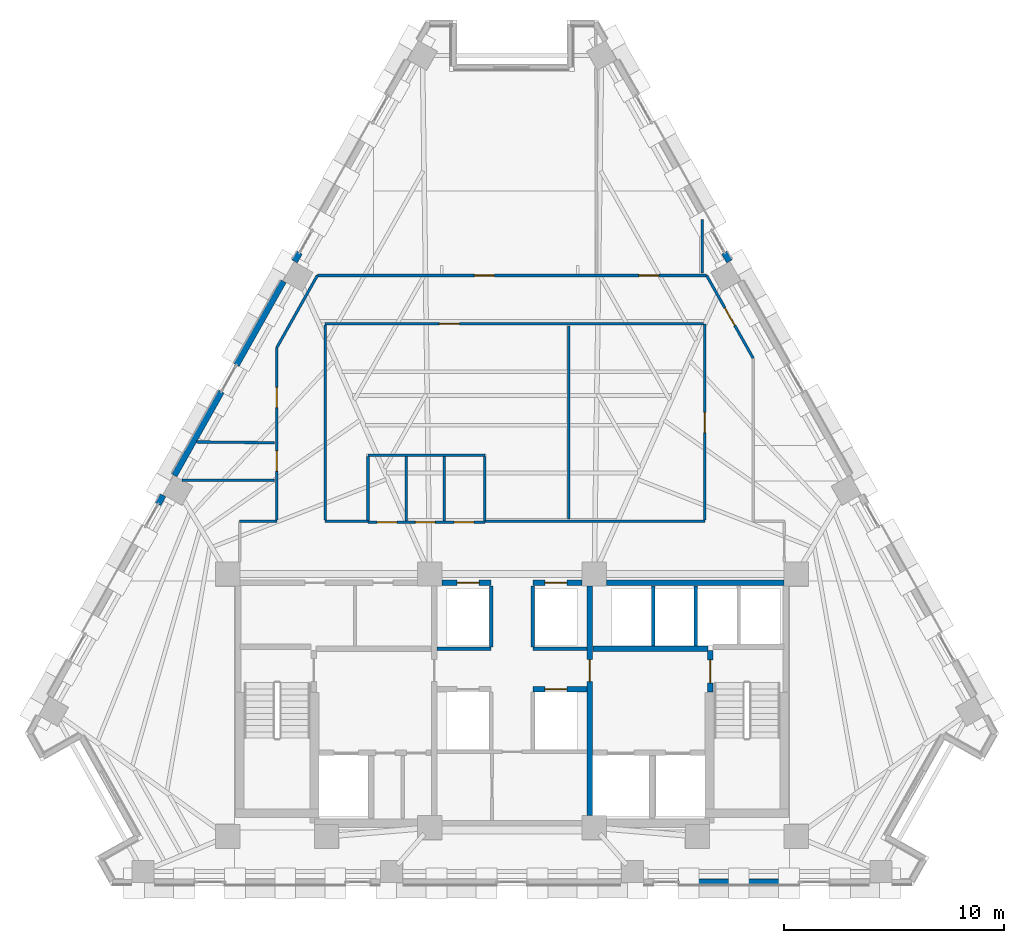
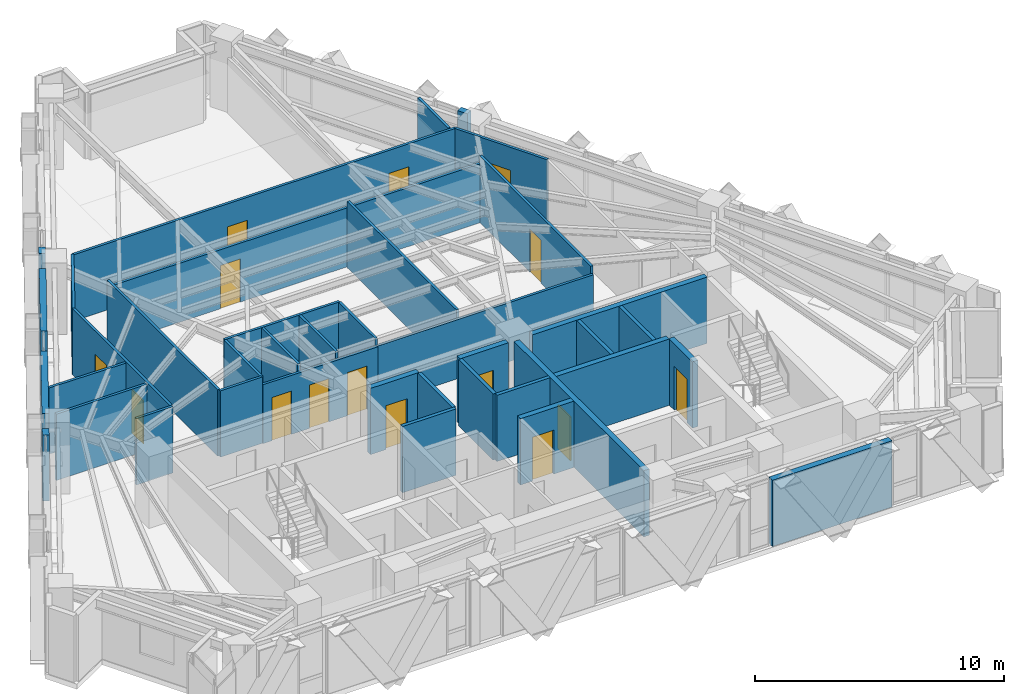
# One storey, part 8 of 13: 39 walls, 15 doors, 15 openings.
"""IFC4 building model written with IfcOpenShell, lengths in metres."""

from ifc_helpers import new_model, si_unit, direction, frame, frame_2d, origin, place, context, subcontext, project, spatial, rectangle, extrude, material, layer, layer_set, type_object, element, fill, save


model = new_model("IFC4")

# Units and contexts
model_context = context("Model", 3, precision=1e-05, world=origin(), true_north=direction((0.0, 1.0)))
body_context = subcontext(model_context, "Body", "Model", "MODEL_VIEW")
ifc_project = project(units=[si_unit("LENGTHUNIT", "METRE"), si_unit("AREAUNIT", "SQUARE_METRE"), si_unit("VOLUMEUNIT", "CUBIC_METRE"), si_unit("PLANEANGLEUNIT", "RADIAN"), si_unit("MASSUNIT", "GRAM", prefix="KILO")], contexts=[model_context])

# Site, building, storey
site_placement = place(None, origin())
site = spatial("IfcSite", under=ifc_project, at=site_placement, CompositionType="ELEMENT")
building_placement = place(site_placement, origin())
building = spatial("IfcBuilding", under=site, at=building_placement, Name="Quenlor Broadcast Tower", CompositionType="ELEMENT")
storey_placement = place(building_placement, frame((0.0, 0.0, 161.5)))
storey = spatial("IfcBuildingStorey", under=building, at=storey_placement, Name="L44", CompositionType="ELEMENT", Elevation=161.5)

# Wall, opening, door
ifc_material_1 = material(Name="Concrete C40/50", Category="concrete")
ifc_layer_1 = layer(ifc_material_1, 0.25)
ifc_layer_set_1 = layer_set([ifc_layer_1], Name="Fire Rated Concrete C40/50 Core Wall 250")
wall_type_1 = type_object("IfcWallType", Name="Fire Rated Concrete C40/50 Core Wall 250", PredefinedType="PARTITIONING", material=ifc_layer_set_1)
wall_1_placement = place(storey_placement, frame((9.0400390625, -10.179931640625, 0.0), z_axis=(0.0, 0.0, 1.0), x_axis=(0.0, 1.0, 0.0)))
wall_1 = element("IfcWall", 1, at=wall_1_placement, inside=storey, type_object=wall_type_1, Name="L44 Interior Wall CW-ST2-DR", PredefinedType="PARTITIONING", context=body_context, shape_type="SweptSolid", body=[
    extrude(rectangle(XDim=1.89990234375, YDim=0.25, at=frame_2d((0.949951171875, 0.0))), origin(), (0.0, 0.0, 1.0), 3.25),
])
opening_1_placement = place(wall_1_placement, frame((0.419921875, 0.0, 0.0)))
opening_1 = element("IfcOpeningElement", 2, at=opening_1_placement, cuts=wall_1, Name="Opening FD-1", PredefinedType="OPENING", context=body_context, shape_type="SweptSolid", body=[
    extrude(rectangle(XDim=1.050048828125, YDim=2.14990234375, at=frame_2d((0.52490234375, 1.074951171875))), frame((0.0, 0.135009765625, 0.0), z_axis=(0.0, -1.0, 0.0), x_axis=(1.0, 0.0, 0.0)), (0.0, 0.0, 1.0), 0.27001953125),
])
ifc_material_2 = material(Name="Fire Rated Steel Door Leaf", Category="steel")
door_type_1 = type_object("IfcDoorType", Name="Fire Isolated Stair Door 1050x2150", OperationType="NOTDEFINED", PredefinedType="DOOR", material=ifc_material_2)
door_1_placement = place(opening_1_placement, origin())
door_1 = element("IfcDoor", 3, at=door_1_placement, inside=storey, type_object=door_type_1, Name="L44 Door DR-ST2", OperationType="SINGLE_SWING_RIGHT", OverallHeight=2.14990234375, OverallWidth=1.050048828125, PredefinedType="DOOR", context=body_context, shape_type="SweptSolid", body=[
    extrude(rectangle(XDim=1.050048828125, YDim=2.14990234375, at=frame_2d((0.52490234375, 1.074951171875))), frame((0.0, 0.02490234375, 0.0), z_axis=(0.0, -1.0, 0.0), x_axis=(1.0, 0.0, 0.0)), (0.0, 0.0, 1.0), 0.050048828125),
])
fill(opening_1, door_1)

# Wall
wall_2_placement = place(storey_placement, frame((3.679931640625, -8.199951171875, 0.0), z_axis=(0.0, 0.0, 1.0), x_axis=(1.0, 0.0, 0.0)))
element("IfcWall", 4, at=wall_2_placement, inside=storey, type_object=wall_type_1, Name="L44 Interior Wall CW-FFE-N", PredefinedType="PARTITIONING", context=body_context, shape_type="SweptSolid", body=[
    extrude(rectangle(XDim=5.239990234375, YDim=0.25, at=frame_2d((2.6201171875, 0.0))), origin(), (0.0, 0.0, 1.0), 3.25),
])

# Wall, opening, door
wall_3_placement = place(storey_placement, frame((3.550048828125, -15.798095703125, 0.0), z_axis=(0.0, 0.0, 1.0), x_axis=(0.0, 1.0, 0.0)))
wall_3 = element("IfcWall", 5, at=wall_3_placement, inside=storey, type_object=wall_type_1, Name="L44 Interior Wall CW-FFE-W", PredefinedType="PARTITIONING", context=body_context, shape_type="SweptSolid", body=[
    extrude(rectangle(XDim=10.446044921875, YDim=0.25, at=frame_2d((5.22314453125, 0.0))), origin(), (0.0, 0.0, 1.0), 3.25),
])
opening_2_placement = place(wall_3_placement, frame((6.097900390625, 0.0, 0.0)))
opening_2 = element("IfcOpeningElement", 6, at=opening_2_placement, cuts=wall_3, Name="Opening FD-2", PredefinedType="OPENING", context=body_context, shape_type="SweptSolid", body=[
    extrude(rectangle(XDim=1.0, YDim=2.14990234375, at=frame_2d((0.5, 1.074951171875))), frame((0.0, 0.135009765625, 0.0), z_axis=(0.0, -1.0, 0.0), x_axis=(1.0, 0.0, 0.0)), (0.0, 0.0, 1.0), 0.27001953125),
])
ifc_material_3 = material(Name="Fire Rated Glazed Steel Door", Category="steel")
door_type_2 = type_object("IfcDoorType", Name="Firefighting Lobby Smoke Door 1000x2150", OperationType="NOTDEFINED", PredefinedType="DOOR", material=ifc_material_3)
door_2_placement = place(opening_2_placement, origin())
door_2 = element("IfcDoor", 7, at=door_2_placement, inside=storey, type_object=door_type_2, Name="L44 Door DR-FFLE", OperationType="SINGLE_SWING_LEFT", OverallHeight=2.14990234375, OverallWidth=1.0, PredefinedType="DOOR", context=body_context, shape_type="SweptSolid", body=[
    extrude(rectangle(XDim=1.0, YDim=2.14990234375, at=frame_2d((0.5, 1.074951171875))), frame((0.0, 0.02490234375, 0.0), z_axis=(0.0, -1.0, 0.0), x_axis=(1.0, 0.0, 0.0)), (0.0, 0.0, 1.0), 0.050048828125),
])
fill(opening_2, door_2)

# Wall
wall_4_placement = place(storey_placement, frame((4.302001953125, -5.199951171875, 0.0), z_axis=(0.0, 0.0, 1.0), x_axis=(1.0, 0.0, 0.0)))
element("IfcWall", 8, at=wall_4_placement, inside=storey, type_object=wall_type_1, Name="L44 Interior Wall CW-N-E", PredefinedType="PARTITIONING", context=body_context, shape_type="SweptSolid", body=[
    extrude(rectangle(XDim=8.095947265625, YDim=0.25, at=frame_2d((4.0478515625, 0.0))), origin(), (0.0, 0.0, 1.0), 3.25),
])

# Wall, opening, door
wall_5_placement = place(storey_placement, frame((-3.197998046875, -5.199951171875, 0.0), z_axis=(0.0, 0.0, 1.0), x_axis=(1.0, 0.0, 0.0)))
wall_5 = element("IfcWall", 9, at=wall_5_placement, inside=storey, type_object=wall_type_1, Name="L44 Interior Wall CW-N-M1", PredefinedType="PARTITIONING", context=body_context, shape_type="SweptSolid", body=[
    extrude(rectangle(XDim=2.248046875, YDim=0.25, at=frame_2d((1.1240234375, 0.0))), origin(), (0.0, 0.0, 1.0), 3.25),
])
opening_3_placement = place(wall_5_placement, frame((0.697998046875, 0.0, 0.0)))
opening_3 = element("IfcOpeningElement", 10, at=opening_3_placement, cuts=wall_5, Name="Opening LD-PL-M1", PredefinedType="OPENING", context=body_context, shape_type="SweptSolid", body=[
    extrude(rectangle(XDim=1.0, YDim=2.14990234375, at=frame_2d((0.5, 1.074951171875))), frame((0.0, 0.135009765625, 0.0), z_axis=(0.0, -1.0, 0.0), x_axis=(1.0, 0.0, 0.0)), (0.0, 0.0, 1.0), 0.27001953125),
])
ifc_material_4 = material(Name="Brushed Stainless Steel", Category="steel")
door_type_3 = type_object("IfcDoorType", Name="Passenger Lift Sliding Landing Door 1000x2150", OperationType="NOTDEFINED", PredefinedType="DOOR", material=ifc_material_4)
door_3_placement = place(opening_3_placement, origin())
door_3 = element("IfcDoor", 11, at=door_3_placement, inside=storey, type_object=door_type_3, Name="L44 Door LD-PL-M1", OperationType="SLIDING_TO_LEFT", OverallHeight=2.14990234375, OverallWidth=1.0, PredefinedType="DOOR", context=body_context, shape_type="SweptSolid", body=[
    extrude(rectangle(XDim=1.0, YDim=2.14990234375, at=frame_2d((0.5, 1.074951171875))), frame((0.0, 0.02490234375, 0.0), z_axis=(0.0, -1.0, 0.0), x_axis=(1.0, 0.0, 0.0)), (0.0, 0.0, 1.0), 0.050048828125),
])
fill(opening_3, door_3)

wall_6_placement = place(storey_placement, frame((0.949951171875, -5.199951171875, 0.0), z_axis=(0.0, 0.0, 1.0), x_axis=(1.0, 0.0, 0.0)))
wall_6 = element("IfcWall", 12, at=wall_6_placement, inside=storey, type_object=wall_type_1, Name="L44 Interior Wall CW-N-M2", PredefinedType="PARTITIONING", context=body_context, shape_type="SweptSolid", body=[
    extrude(rectangle(XDim=2.248046875, YDim=0.25, at=frame_2d((1.1240234375, 0.0))), origin(), (0.0, 0.0, 1.0), 3.25),
])
opening_4_placement = place(wall_6_placement, frame((0.550048828125, 0.0, 0.0)))
opening_4 = element("IfcOpeningElement", 13, at=opening_4_placement, cuts=wall_6, Name="Opening LD-PL-M2", PredefinedType="OPENING", context=body_context, shape_type="SweptSolid", body=[
    extrude(rectangle(XDim=1.0, YDim=2.14990234375, at=frame_2d((0.5, 1.074951171875))), frame((0.0, 0.135009765625, 0.0), z_axis=(0.0, -1.0, 0.0), x_axis=(1.0, 0.0, 0.0)), (0.0, 0.0, 1.0), 0.27001953125),
])
door_4_placement = place(opening_4_placement, origin())
door_4 = element("IfcDoor", 14, at=door_4_placement, inside=storey, type_object=door_type_3, Name="L44 Door LD-PL-M2", OperationType="SLIDING_TO_RIGHT", OverallHeight=2.14990234375, OverallWidth=1.0, PredefinedType="DOOR", context=body_context, shape_type="SweptSolid", body=[
    extrude(rectangle(XDim=1.0, YDim=2.14990234375, at=frame_2d((0.5, 1.074951171875))), frame((0.0, 0.02490234375, 0.0), z_axis=(0.0, -1.0, 0.0), x_axis=(1.0, 0.0, 0.0)), (0.0, 0.0, 1.0), 0.050048828125),
])
fill(opening_4, door_4)

wall_7_placement = place(storey_placement, frame((0.949951171875, -10.050048828125, 0.0), z_axis=(0.0, 0.0, 1.0), x_axis=(1.0, 0.0, 0.0)))
wall_7 = element("IfcWall", 15, at=wall_7_placement, inside=storey, type_object=wall_type_1, Name="L44 Interior Wall CW-MS-N2", PredefinedType="PARTITIONING", context=body_context, shape_type="SweptSolid", body=[
    extrude(rectangle(XDim=2.469970703125, YDim=0.25, at=frame_2d((1.23486328125, 0.0))), origin(), (0.0, 0.0, 1.0), 3.25),
])
opening_5_placement = place(wall_7_placement, frame((0.550048828125, 0.0, 0.0)))
opening_5 = element("IfcOpeningElement", 16, at=opening_5_placement, cuts=wall_7, Name="Opening LD-PL-M4", PredefinedType="OPENING", context=body_context, shape_type="SweptSolid", body=[
    extrude(rectangle(XDim=1.0, YDim=2.14990234375, at=frame_2d((0.5, 1.074951171875))), frame((0.0, 0.135009765625, 0.0), z_axis=(0.0, -1.0, 0.0), x_axis=(1.0, 0.0, 0.0)), (0.0, 0.0, 1.0), 0.27001953125),
])
door_5_placement = place(opening_5_placement, origin())
door_5 = element("IfcDoor", 17, at=door_5_placement, inside=storey, type_object=door_type_3, Name="L44 Door LD-PL-M4", OperationType="SLIDING_TO_RIGHT", OverallHeight=2.14990234375, OverallWidth=1.0, PredefinedType="DOOR", context=body_context, shape_type="SweptSolid", body=[
    extrude(rectangle(XDim=1.0, YDim=2.14990234375, at=frame_2d((0.5, 1.074951171875))), frame((0.0, 0.02490234375, 0.0), z_axis=(0.0, -1.0, 0.0), x_axis=(1.0, 0.0, 0.0)), (0.0, 0.0, 1.0), 0.050048828125),
])
fill(opening_5, door_5)

# Walls
ifc_material_5 = material(Name="Gypsum Fireboard Partition", Category="other")
ifc_layer_2 = layer(ifc_material_5, 0.159912109375)
ifc_layer_set_2 = layer_set([ifc_layer_2], Name="Fire Rated Shaft and Corridor Partition 160")
wall_type_2 = type_object("IfcWallType", Name="Fire Rated Shaft and Corridor Partition 160", PredefinedType="PARTITIONING", material=ifc_layer_set_2)
for number, where, z_axis, x_axis, name in (
    (18, (6.425048828125, -8.072998046875, 0.0), (0.0, 0.0, 1.0), (0.0, 1.0, 0.0), "L44 Interior Wall CW-PLH-D1"),
    (19, (8.375, -8.072998046875, 0.0), (0.0, 0.0, 1.0), (0.0, 1.0, 0.0), "L44 Interior Wall CW-PLH-D2"),
):
    element("IfcWall", number, at=place(storey_placement, frame(where, z_axis=z_axis, x_axis=x_axis)), inside=storey, type_object=wall_type_2, Name=name, PredefinedType="PARTITIONING", context=body_context, shape_type="SweptSolid", body=[
        extrude(rectangle(XDim=2.73291015625, YDim=0.159912109375, at=frame_2d((1.366455078125, 0.0))), origin(), (0.0, 0.0, 1.0), 3.25),
    ])
for number, where, z_axis, x_axis, name in (
    (20, (-0.949951171875, -8.1201171875, 0.0), (0.0, 0.0, 1.0), (0.0, 1.0, 0.0), "L44 Interior Wall CW-CCRP-W"),
    (21, (0.949951171875, -8.1201171875, 0.0), (0.0, 0.0, 1.0), (0.0, 1.0, 0.0), "L44 Interior Wall CW-CCRP-E"),
):
    element("IfcWall", number, at=place(storey_placement, frame(where, z_axis=z_axis, x_axis=x_axis)), inside=storey, type_object=wall_type_2, Name=name, PredefinedType="PARTITIONING", context=body_context, shape_type="SweptSolid", body=[
        extrude(rectangle(XDim=2.780029296875, YDim=0.159912109375, at=frame_2d((1.39013671875, 0.0))), origin(), (0.0, 0.0, 1.0), 3.25),
    ])
for number, where, z_axis, x_axis, name in (
    (22, (-3.419921875, -8.199951171875, 0.0), (0.0, 0.0, 1.0), (1.0, 0.0, 0.0), "L44 Interior Wall CW-M-BACK1"),
    (23, (0.949951171875, -8.199951171875, 0.0), (0.0, 0.0, 1.0), (1.0, 0.0, 0.0), "L44 Interior Wall CW-M-BACK2"),
):
    element("IfcWall", number, at=place(storey_placement, frame(where, z_axis=z_axis, x_axis=x_axis)), inside=storey, type_object=wall_type_2, Name=name, PredefinedType="PARTITIONING", context=body_context, shape_type="SweptSolid", body=[
        extrude(rectangle(XDim=2.469970703125, YDim=0.159912109375, at=frame_2d((1.23486328125, 0.0))), origin(), (0.0, 0.0, 1.0), 3.25),
    ])

# Wall, openings, doors
ifc_material_6 = material(Name="Gypsum Plasterboard Partition", Category="other")
ifc_layer_3 = layer(ifc_material_6, 0.1201171875)
ifc_layer_set_3 = layer_set([ifc_layer_3], Name="Standard Office Partition 120")
wall_type_3 = type_object("IfcWallType", Name="Standard Office Partition 120", PredefinedType="PARTITIONING", material=ifc_layer_set_3)
wall_8_placement = place(storey_placement, frame((-6.56005859375, -2.43994140625, 0.0), z_axis=(0.0, 0.0, 1.0), x_axis=(1.0, 0.0, 0.0)))
wall_8 = element("IfcWall", 24, at=wall_8_placement, inside=storey, type_object=wall_type_3, Name="L44 Interior Wall PW-WC-S", PredefinedType="PARTITIONING", context=body_context, shape_type="SweptSolid", body=[
    extrude(rectangle(XDim=5.320068359375, YDim=0.1201171875, at=frame_2d((2.66015625, 0.0))), origin(), (0.0, 0.0, 1.0), 2.891357421875),
])
opening_6_placement = place(wall_8_placement, frame((0.419921875, 0.0, 0.0)))
opening_6 = element("IfcOpeningElement", 25, at=opening_6_placement, cuts=wall_8, Name="Opening ID-3", PredefinedType="OPENING", context=body_context, shape_type="SweptSolid", body=[
    extrude(rectangle(XDim=0.89990234375, YDim=2.1201171875, at=frame_2d((0.449951171875, 1.06005859375))), frame((0.0, 0.070068359375, 0.0), z_axis=(0.0, -1.0, 0.0), x_axis=(1.0, 0.0, 0.0)), (0.0, 0.0, 1.0), 0.14013671875),
])
opening_7_placement = place(wall_8_placement, frame((2.159912109375, 0.0, 0.0)))
opening_7 = element("IfcOpeningElement", 26, at=opening_7_placement, cuts=wall_8, Name="Opening ID-3", PredefinedType="OPENING", context=body_context, shape_type="SweptSolid", body=[
    extrude(rectangle(XDim=0.89990234375, YDim=2.1201171875, at=frame_2d((0.449951171875, 1.06005859375))), frame((0.0, 0.070068359375, 0.0), z_axis=(0.0, -1.0, 0.0), x_axis=(1.0, 0.0, 0.0)), (0.0, 0.0, 1.0), 0.14013671875),
])
opening_8_placement = place(wall_8_placement, frame((3.919921875, 0.0, 0.0)))
opening_8 = element("IfcOpeningElement", 27, at=opening_8_placement, cuts=wall_8, Name="Opening ID-3", PredefinedType="OPENING", context=body_context, shape_type="SweptSolid", body=[
    extrude(rectangle(XDim=0.89990234375, YDim=2.1201171875, at=frame_2d((0.449951171875, 1.06005859375))), frame((0.0, 0.070068359375, 0.0), z_axis=(0.0, -1.0, 0.0), x_axis=(1.0, 0.0, 0.0)), (0.0, 0.0, 1.0), 0.14013671875),
])
ifc_material_7 = material(Name="Moisture Resistant Timber Oak", Category="wood")
door_type_4 = type_object("IfcDoorType", Name="Washroom Privacy Door 900x2120", OperationType="NOTDEFINED", PredefinedType="DOOR", material=ifc_material_7)
door_6_placement = place(opening_6_placement, origin())
door_6 = element("IfcDoor", 28, at=door_6_placement, inside=storey, type_object=door_type_4, Name="L44 Door DR-FWC", OperationType="SINGLE_SWING_LEFT", OverallHeight=2.1201171875, OverallWidth=0.89990234375, PredefinedType="DOOR", context=body_context, shape_type="SweptSolid", body=[
    extrude(rectangle(XDim=0.89990234375, YDim=2.1201171875, at=frame_2d((0.449951171875, 1.06005859375))), frame((0.0, 0.02490234375, 0.0), z_axis=(0.0, -1.0, 0.0), x_axis=(1.0, 0.0, 0.0)), (0.0, 0.0, 1.0), 0.050048828125),
])
fill(opening_6, door_6)
door_7_placement = place(opening_7_placement, origin())
door_7 = element("IfcDoor", 29, at=door_7_placement, inside=storey, type_object=door_type_4, Name="L44 Door DR-MWC", OperationType="SINGLE_SWING_RIGHT", OverallHeight=2.1201171875, OverallWidth=0.89990234375, PredefinedType="DOOR", context=body_context, shape_type="SweptSolid", body=[
    extrude(rectangle(XDim=0.89990234375, YDim=2.1201171875, at=frame_2d((0.449951171875, 1.06005859375))), frame((0.0, 0.02490234375, 0.0), z_axis=(0.0, -1.0, 0.0), x_axis=(1.0, 0.0, 0.0)), (0.0, 0.0, 1.0), 0.050048828125),
])
fill(opening_7, door_7)
door_8_placement = place(opening_8_placement, origin())
door_8 = element("IfcDoor", 30, at=door_8_placement, inside=storey, type_object=door_type_4, Name="L44 Door DR-AWC", OperationType="SINGLE_SWING_RIGHT", OverallHeight=2.1201171875, OverallWidth=0.89990234375, PredefinedType="DOOR", context=body_context, shape_type="SweptSolid", body=[
    extrude(rectangle(XDim=0.89990234375, YDim=2.1201171875, at=frame_2d((0.449951171875, 1.06005859375))), frame((0.0, 0.02490234375, 0.0), z_axis=(0.0, -1.0, 0.0), x_axis=(1.0, 0.0, 0.0)), (0.0, 0.0, 1.0), 0.050048828125),
])
fill(opening_8, door_8)

# Walls
wall_9_placement = place(storey_placement, frame((-6.56005859375, 0.610107421875, 0.0), z_axis=(0.0, 0.0, 1.0), x_axis=(1.0, 0.0, 0.0)))
element("IfcWall", 31, at=wall_9_placement, inside=storey, type_object=wall_type_3, Name="L44 Interior Wall PW-WC-N", PredefinedType="PARTITIONING", context=body_context, shape_type="SweptSolid", body=[
    extrude(rectangle(XDim=5.320068359375, YDim=0.1201171875, at=frame_2d((2.66015625, 0.0))), origin(), (0.0, 0.0, 1.0), 3.25),
])
for number, where, z_axis, x_axis, name in (
    (32, (-6.56005859375, -2.3779296875, 0.0), (0.0, 0.0, 1.0), (0.0, 1.0, 0.0), "L44 Interior Wall PW-WC-W"),
    (33, (-4.820068359375, -2.3779296875, 0.0), (0.0, 0.0, 1.0), (0.0, 1.0, 0.0), "L44 Interior Wall PW-WC-M1"),
    (34, (-3.080078125, -2.3779296875, 0.0), (0.0, 0.0, 1.0), (0.0, 1.0, 0.0), "L44 Interior Wall PW-WC-M2"),
    (35, (-1.239990234375, -2.3779296875, 0.0), (0.0, 0.0, 1.0), (0.0, 1.0, 0.0), "L44 Interior Wall PW-WC-E"),
):
    element("IfcWall", number, at=place(storey_placement, frame(where, z_axis=z_axis, x_axis=x_axis)), inside=storey, type_object=wall_type_3, Name=name, PredefinedType="PARTITIONING", context=body_context, shape_type="SweptSolid", body=[
        extrude(rectangle(XDim=2.926025390625, YDim=0.1201171875, at=frame_2d((1.462890625, 0.0))), origin(), (0.0, 0.0, 1.0), 3.25),
    ])
wall_10_placement = place(storey_placement, frame((-12.409912109375, -2.39990234375, 0.0), z_axis=(0.0, 0.0, 1.0), x_axis=(1.0, 0.0, 0.0)))
element("IfcWall", 36, at=wall_10_placement, inside=storey, type_object=wall_type_3, Name="L44 Interior Wall PW-CR-01", PredefinedType="PARTITIONING", context=body_context, shape_type="SweptSolid", body=[
    extrude(rectangle(XDim=1.69482421875, YDim=0.1201171875, at=frame_2d((0.847412109375, 0.0))), origin(), (0.0, 0.0, 1.0), 3.25),
])

# Wall, openings, doors
wall_11_placement = place(storey_placement, frame((-10.715087890625, -2.337890625, 0.0), z_axis=(0.0, 0.0, 1.0), x_axis=(0.0, 1.0, 0.0)))
wall_11 = element("IfcWall", 37, at=wall_11_placement, inside=storey, type_object=wall_type_3, Name="L44 Interior Wall PW-CR-02", PredefinedType="PARTITIONING", context=body_context, shape_type="SweptSolid", body=[
    extrude(rectangle(XDim=7.853759765625, YDim=0.1201171875, at=frame_2d((3.9267578125, 0.0))), origin(), (0.0, 0.0, 1.0), 3.25),
])
opening_9_placement = place(wall_11_placement, frame((5.116943359375, 0.0, 0.0)))
opening_9 = element("IfcOpeningElement", 38, at=opening_9_placement, cuts=wall_11, Name="Opening ID-1", PredefinedType="OPENING", context=body_context, shape_type="SweptSolid", body=[
    extrude(rectangle(XDim=0.919921875, YDim=2.1201171875, at=frame_2d((0.4599609375, 1.06005859375))), frame((0.0, 0.070068359375, 0.0), z_axis=(0.0, -1.0, 0.0), x_axis=(1.0, 0.0, 0.0)), (0.0, 0.0, 1.0), 0.14013671875),
])
opening_10_placement = place(wall_11_placement, frame((2.22802734375, 0.0, 0.0)))
opening_10 = element("IfcOpeningElement", 39, at=opening_10_placement, cuts=wall_11, Name="Opening ID-1", PredefinedType="OPENING", context=body_context, shape_type="SweptSolid", body=[
    extrude(rectangle(XDim=0.919921875, YDim=2.1201171875, at=frame_2d((0.4599609375, 1.06005859375))), frame((0.0, 0.070068359375, 0.0), z_axis=(0.0, -1.0, 0.0), x_axis=(1.0, 0.0, 0.0)), (0.0, 0.0, 1.0), 0.14013671875),
])
ifc_material_8 = material(Name="Solid Core Timber Oak", Category="wood")
door_type_5 = type_object("IfcDoorType", Name="Single Leaf Timber Office Door 920x2120", OperationType="NOTDEFINED", PredefinedType="DOOR", material=ifc_material_8)
door_9_placement = place(opening_9_placement, origin())
door_9 = element("IfcDoor", 40, at=door_9_placement, inside=storey, type_object=door_type_5, Name="L44 Door DR-RM04", OperationType="SINGLE_SWING_RIGHT", OverallHeight=2.1201171875, OverallWidth=0.919921875, PredefinedType="DOOR", context=body_context, shape_type="SweptSolid", body=[
    extrude(rectangle(XDim=0.919921875, YDim=2.1201171875, at=frame_2d((0.4599609375, 1.06005859375))), frame((0.0, 0.02490234375, 0.0), z_axis=(0.0, -1.0, 0.0), x_axis=(1.0, 0.0, 0.0)), (0.0, 0.0, 1.0), 0.050048828125),
])
fill(opening_9, door_9)
door_10_placement = place(opening_10_placement, origin())
door_10 = element("IfcDoor", 41, at=door_10_placement, inside=storey, type_object=door_type_5, Name="L44 Door DR-RM07", OperationType="SINGLE_SWING_LEFT", OverallHeight=2.1201171875, OverallWidth=0.919921875, PredefinedType="DOOR", context=body_context, shape_type="SweptSolid", body=[
    extrude(rectangle(XDim=0.919921875, YDim=2.1201171875, at=frame_2d((0.4599609375, 1.06005859375))), frame((0.0, 0.02490234375, 0.0), z_axis=(0.0, -1.0, 0.0), x_axis=(1.0, 0.0, 0.0)), (0.0, 0.0, 1.0), 0.050048828125),
])
fill(opening_10, door_10)

# Wall
wall_12_placement = place(storey_placement, frame((-10.7138671875, 5.517822265625, 0.0), z_axis=(0.0, 0.0, 1.0), x_axis=(0.490248927543, 0.871582462561, 0.0)))
element("IfcWall", 42, at=wall_12_placement, inside=storey, type_object=wall_type_3, Name="L44 Interior Wall PW-CR-03", PredefinedType="PARTITIONING", context=body_context, shape_type="SweptSolid", body=[
    extrude(rectangle(XDim=3.765869140625, YDim=0.1201171875, at=frame_2d((1.8828125, 0.0))), origin(), (0.0, 0.0, 1.0), 3.25),
])

# Wall, openings, doors
wall_13_placement = place(storey_placement, frame((-8.863525390625, 8.800048828125, 0.0), z_axis=(0.0, 0.0, 1.0), x_axis=(1.0, 0.0, 0.0)))
wall_13 = element("IfcWall", 43, at=wall_13_placement, inside=storey, type_object=wall_type_3, Name="L44 Interior Wall PW-CR-04", PredefinedType="PARTITIONING", context=body_context, shape_type="SweptSolid", body=[
    extrude(rectangle(XDim=17.731201171875, YDim=0.1201171875, at=frame_2d((8.86572265625, 0.0))), origin(), (0.0, 0.0, 1.0), 3.25),
])
opening_11_placement = place(wall_13_placement, frame((7.14404296875, 0.0, 0.0)))
opening_11 = element("IfcOpeningElement", 44, at=opening_11_placement, cuts=wall_13, Name="Opening ID-1", PredefinedType="OPENING", context=body_context, shape_type="SweptSolid", body=[
    extrude(rectangle(XDim=0.919921875, YDim=2.1201171875, at=frame_2d((0.4599609375, 1.06005859375))), frame((0.0, 0.070068359375, 0.0), z_axis=(0.0, -1.0, 0.0), x_axis=(1.0, 0.0, 0.0)), (0.0, 0.0, 1.0), 0.14013671875),
])
opening_12_placement = place(wall_13_placement, frame((14.637939453125, 0.0, 0.0)))
opening_12 = element("IfcOpeningElement", 45, at=opening_12_placement, cuts=wall_13, Name="Opening ID-1", PredefinedType="OPENING", context=body_context, shape_type="SweptSolid", body=[
    extrude(rectangle(XDim=0.919921875, YDim=2.1201171875, at=frame_2d((0.4599609375, 1.06005859375))), frame((0.0, 0.070068359375, 0.0), z_axis=(0.0, -1.0, 0.0), x_axis=(1.0, 0.0, 0.0)), (0.0, 0.0, 1.0), 0.14013671875),
])
door_11_placement = place(opening_11_placement, origin())
door_11 = element("IfcDoor", 46, at=door_11_placement, inside=storey, type_object=door_type_5, Name="L44 Door DR-RM01", OperationType="SINGLE_SWING_LEFT", OverallHeight=2.1201171875, OverallWidth=0.919921875, PredefinedType="DOOR", context=body_context, shape_type="SweptSolid", body=[
    extrude(rectangle(XDim=0.919921875, YDim=2.1201171875, at=frame_2d((0.4599609375, 1.06005859375))), frame((0.0, 0.02490234375, 0.0), z_axis=(0.0, -1.0, 0.0), x_axis=(1.0, 0.0, 0.0)), (0.0, 0.0, 1.0), 0.050048828125),
])
fill(opening_11, door_11)
door_12_placement = place(opening_12_placement, origin())
door_12 = element("IfcDoor", 47, at=door_12_placement, inside=storey, type_object=door_type_5, Name="L44 Door DR-RM02", OperationType="SINGLE_SWING_RIGHT", OverallHeight=2.1201171875, OverallWidth=0.919921875, PredefinedType="DOOR", context=body_context, shape_type="SweptSolid", body=[
    extrude(rectangle(XDim=0.919921875, YDim=2.1201171875, at=frame_2d((0.4599609375, 1.06005859375))), frame((0.0, 0.02490234375, 0.0), z_axis=(0.0, -1.0, 0.0), x_axis=(1.0, 0.0, 0.0)), (0.0, 0.0, 1.0), 0.050048828125),
])
fill(opening_12, door_12)

# Wall, opening, door
wall_14_placement = place(storey_placement, frame((8.86962890625, 8.79638671875, 0.0), z_axis=(0.0, 0.0, 1.0), x_axis=(0.490296163189, -0.871555891703, 0.0)))
wall_14 = element("IfcWall", 48, at=wall_14_placement, inside=storey, type_object=wall_type_3, Name="L44 Interior Wall PW-CR-05", PredefinedType="PARTITIONING", context=body_context, shape_type="SweptSolid", body=[
    extrude(rectangle(XDim=4.314697265625, YDim=0.1201171875, at=frame_2d((2.1572265625, 0.0))), origin(), (0.0, 0.0, 1.0), 3.25),
])
opening_13_placement = place(wall_14_placement, frame((1.695068359375, 0.0, 0.0)))
opening_13 = element("IfcOpeningElement", 49, at=opening_13_placement, cuts=wall_14, Name="Opening ID-1", PredefinedType="OPENING", context=body_context, shape_type="SweptSolid", body=[
    extrude(rectangle(XDim=0.919921875, YDim=2.1201171875, at=frame_2d((0.4599609375, 1.06005859375))), frame((0.0, 0.070068359375, 0.0), z_axis=(0.0, -1.0, 0.0), x_axis=(1.0, 0.0, 0.0)), (0.0, 0.0, 1.0), 0.14013671875),
])
door_13_placement = place(opening_13_placement, origin())
door_13 = element("IfcDoor", 50, at=door_13_placement, inside=storey, type_object=door_type_5, Name="L44 Door DR-RM03", OperationType="SINGLE_SWING_LEFT", OverallHeight=2.1201171875, OverallWidth=0.919921875, PredefinedType="DOOR", context=body_context, shape_type="SweptSolid", body=[
    extrude(rectangle(XDim=0.919921875, YDim=2.1201171875, at=frame_2d((0.4599609375, 1.06005859375))), frame((0.0, 0.02490234375, 0.0), z_axis=(0.0, -1.0, 0.0), x_axis=(1.0, 0.0, 0.0)), (0.0, 0.0, 1.0), 0.050048828125),
])
fill(opening_13, door_13)

# Walls
wall_15_placement = place(storey_placement, frame((-8.514892578125, -2.39990234375, 0.0), z_axis=(0.0, 0.0, 1.0), x_axis=(1.0, 0.0, 0.0)))
element("IfcWall", 51, at=wall_15_placement, inside=storey, type_object=wall_type_3, Name="L44 Interior Wall PW-CR-10", PredefinedType="PARTITIONING", context=body_context, shape_type="SweptSolid", body=[
    extrude(rectangle(XDim=1.952880859375, YDim=0.1201171875, at=frame_2d((0.9765625, 0.0))), origin(), (0.0, 0.0, 1.0), 3.25),
])
wall_16_placement = place(storey_placement, frame((-1.238037109375, -2.39990234375, 0.0), z_axis=(0.0, 0.0, 1.0), x_axis=(1.0, 0.0, 0.0)))
element("IfcWall", 52, at=wall_16_placement, inside=storey, type_object=wall_type_3, Name="L44 Interior Wall PW-CR-10S2", PredefinedType="PARTITIONING", context=body_context, shape_type="SweptSolid", body=[
    extrude(rectangle(XDim=10.02294921875, YDim=0.1201171875, at=frame_2d((5.011474609375, 0.0))), origin(), (0.0, 0.0, 1.0), 2.891357421875),
])

# Wall, opening, door
wall_17_placement = place(storey_placement, frame((8.784912109375, -2.337890625, 0.0), z_axis=(0.0, 0.0, 1.0), x_axis=(0.0, 1.0, 0.0)))
wall_17 = element("IfcWall", 53, at=wall_17_placement, inside=storey, type_object=wall_type_3, Name="L44 Interior Wall PW-CR-11", PredefinedType="PARTITIONING", context=body_context, shape_type="SweptSolid", body=[
    extrude(rectangle(XDim=8.93798828125, YDim=0.1201171875, at=frame_2d((4.468994140625, 0.0))), origin(), (0.0, 0.0, 1.0), 3.25),
])
opening_14_placement = place(wall_17_placement, frame((3.97802734375, 0.0, 0.0)))
opening_14 = element("IfcOpeningElement", 54, at=opening_14_placement, cuts=wall_17, Name="Opening ID-1", PredefinedType="OPENING", context=body_context, shape_type="SweptSolid", body=[
    extrude(rectangle(XDim=0.919921875, YDim=2.1201171875, at=frame_2d((0.4599609375, 1.06005859375))), frame((0.0, 0.070068359375, 0.0), z_axis=(0.0, -1.0, 0.0), x_axis=(1.0, 0.0, 0.0)), (0.0, 0.0, 1.0), 0.14013671875),
])
door_14_placement = place(opening_14_placement, origin())
door_14 = element("IfcDoor", 55, at=door_14_placement, inside=storey, type_object=door_type_5, Name="L44 Door DR-RM06", OperationType="SINGLE_SWING_RIGHT", OverallHeight=2.1201171875, OverallWidth=0.919921875, PredefinedType="DOOR", context=body_context, shape_type="SweptSolid", body=[
    extrude(rectangle(XDim=0.919921875, YDim=2.1201171875, at=frame_2d((0.4599609375, 1.06005859375))), frame((0.0, 0.02490234375, 0.0), z_axis=(0.0, -1.0, 0.0), x_axis=(1.0, 0.0, 0.0)), (0.0, 0.0, 1.0), 0.050048828125),
])
fill(opening_14, door_14)

wall_18_placement = place(storey_placement, frame((8.722900390625, 6.60009765625, 0.0), z_axis=(0.0, 0.0, 1.0), x_axis=(-1.0, 0.0, 0.0)))
wall_18 = element("IfcWall", 56, at=wall_18_placement, inside=storey, type_object=wall_type_3, Name="L44 Interior Wall PW-CR-12", PredefinedType="PARTITIONING", context=body_context, shape_type="SweptSolid", body=[
    extrude(rectangle(XDim=17.23779296875, YDim=0.1201171875, at=frame_2d((8.618896484375, 0.0))), origin(), (0.0, 0.0, 1.0), 2.891357421875),
])
opening_15_placement = place(wall_18_placement, frame((11.115966796875, 0.0, 0.0)))
opening_15 = element("IfcOpeningElement", 57, at=opening_15_placement, cuts=wall_18, Name="Opening ID-1", PredefinedType="OPENING", context=body_context, shape_type="SweptSolid", body=[
    extrude(rectangle(XDim=0.919921875, YDim=2.1201171875, at=frame_2d((0.4599609375, 1.06005859375))), frame((0.0, 0.070068359375, 0.0), z_axis=(0.0, -1.0, 0.0), x_axis=(1.0, 0.0, 0.0)), (0.0, 0.0, 1.0), 0.14013671875),
])
door_15_placement = place(opening_15_placement, origin())
door_15 = element("IfcDoor", 58, at=door_15_placement, inside=storey, type_object=door_type_5, Name="L44 Door DR-RM05", OperationType="SINGLE_SWING_LEFT", OverallHeight=2.1201171875, OverallWidth=0.919921875, PredefinedType="DOOR", context=body_context, shape_type="SweptSolid", body=[
    extrude(rectangle(XDim=0.919921875, YDim=2.1201171875, at=frame_2d((0.4599609375, 1.06005859375))), frame((0.0, 0.02490234375, 0.0), z_axis=(0.0, -1.0, 0.0), x_axis=(1.0, 0.0, 0.0)), (0.0, 0.0, 1.0), 0.050048828125),
])
fill(opening_15, door_15)

# Walls
wall_19_placement = place(storey_placement, frame((-8.514892578125, 6.5380859375, 0.0), z_axis=(0.0, 0.0, 1.0), x_axis=(0.0, -1.0, 0.0)))
element("IfcWall", 59, at=wall_19_placement, inside=storey, type_object=wall_type_3, Name="L44 Interior Wall PW-CR-13", PredefinedType="PARTITIONING", context=body_context, shape_type="SweptSolid", body=[
    extrude(rectangle(XDim=8.8759765625, YDim=0.1201171875, at=frame_2d((4.43798828125, 0.0))), origin(), (0.0, 0.0, 1.0), 3.25),
])
wall_20_placement = place(storey_placement, frame((8.659912109375, 11.35791015625, 0.0), z_axis=(0.0, 0.0, 1.0), x_axis=(0.0, -1.0, 0.0)))
element("IfcWall", 60, at=wall_20_placement, inside=storey, type_object=wall_type_3, Name="L44 Interior Wall PW-DV-02", PredefinedType="PARTITIONING", context=body_context, shape_type="SweptSolid", body=[
    extrude(rectangle(XDim=2.447998046875, YDim=0.1201171875, at=frame_2d((1.22412109375, 0.0))), origin(), (0.0, 0.0, 1.0), 3.25),
])
wall_21_placement = place(storey_placement, frame((-10.824951171875, 1.181640625, 0.0), z_axis=(0.0, 0.0, 1.0), x_axis=(-0.999943542972, 0.010625952637, 0.0)))
element("IfcWall", 61, at=wall_21_placement, inside=storey, type_object=wall_type_3, Name="L44 Interior Wall PW-DV-03", PredefinedType="PARTITIONING", context=body_context, shape_type="SweptSolid", body=[
    extrude(rectangle(XDim=3.538330078125, YDim=0.1201171875, at=frame_2d((1.76904296875, 0.0))), origin(), (0.0, 0.0, 1.0), 3.25),
])
wall_22_placement = place(storey_placement, frame((2.591064453125, 6.489990234375, 0.0), z_axis=(0.0, 0.0, 1.0), x_axis=(0.0, -1.0, 0.0)))
element("IfcWall", 62, at=wall_22_placement, inside=storey, type_object=wall_type_3, Name="L44 Interior Wall PW-DV-04", PredefinedType="PARTITIONING", context=body_context, shape_type="SweptSolid", body=[
    extrude(rectangle(XDim=8.780029296875, YDim=0.1201171875, at=frame_2d((4.39013671875, 0.0))), origin(), (0.0, 0.0, 1.0), 3.25),
])
wall_23_placement = place(storey_placement, frame((-10.824951171875, -0.520263671875, 0.0), z_axis=(0.0, 0.0, 1.0), x_axis=(-1.0, 0.0, 0.0)))
element("IfcWall", 63, at=wall_23_placement, inside=storey, type_object=wall_type_3, Name="L44 Interior Wall PW-DV-05", PredefinedType="PARTITIONING", context=body_context, shape_type="SweptSolid", body=[
    extrude(rectangle(XDim=4.21142578125, YDim=0.1201171875, at=frame_2d((2.105712890625, 0.0))), origin(), (0.0, 0.0, 1.0), 3.25),
])
ifc_material_9 = material(Name="Precast concrete C40/50", Category="concrete")
ifc_layer_4 = layer(ifc_material_9, 0.280029296875)
ifc_layer_set_4 = layer_set([ifc_layer_4], Name="Terracotta Precast Concrete C40/50 Facade Wall 280")
wall_type_4 = type_object("IfcWallType", Name="Terracotta Precast Concrete C40/50 Facade Wall 280", PredefinedType="STANDARD", material=ifc_layer_set_4)
wall_24_placement = place(storey_placement, frame((13.10693359375, -18.824951171875, 0.0), z_axis=(0.0, 0.0, 1.0), x_axis=(-1.0, 0.0, 0.0)))
element("IfcWall", 64, at=wall_24_placement, inside=storey, type_object=wall_type_4, Name="L44 Exterior Wall L44-SA-SP2", PredefinedType="STANDARD", context=body_context, shape_type="SweptSolid", body=[
    extrude(rectangle(XDim=5.550048828125, YDim=0.280029296875, at=frame_2d((2.77490234375, 0.0))), origin(), (0.0, 0.0, 1.0), 3.25),
])
for number, where, z_axis, x_axis, name in (
    (65, (9.674072265625, 9.8447265625, 0.0), (0.0, 0.0, 1.0), (0.490412424957, -0.871490478116, 0.0), "L44 Exterior Wall L44-NEA-SP3"),
    (66, (-16.120849609375, -1.6162109375, 0.0), (0.0, 0.0, 1.0), (0.490009165718, 0.871717280724, 0.0), "L44 Exterior Wall L44-NWA-SP3"),
    (67, (-9.899658203125, 9.44384765625, 0.0), (0.0, 0.0, 1.0), (0.490412424957, 0.871490478116, 0.0), "L44 Exterior Wall L44-NWC-SP1"),
):
    element("IfcWall", number, at=place(storey_placement, frame(where, z_axis=z_axis, x_axis=x_axis)), inside=storey, type_object=wall_type_4, Name=name, PredefinedType="STANDARD", context=body_context, shape_type="SweptSolid", body=[
        extrude(rectangle(XDim=0.4599609375, YDim=0.280029296875, at=frame_2d((0.22998046875, 0.0))), origin(), (0.0, 0.0, 1.0), 3.25),
    ])
wall_25_placement = place(storey_placement, frame((-15.383056640625, -0.3046875, 0.0), z_axis=(0.0, 0.0, 1.0), x_axis=(0.490232095789, 0.871591929895, 0.0)))
element("IfcWall", 68, at=wall_25_placement, inside=storey, type_object=wall_type_4, Name="L44 Exterior Wall L44-NW-SP1", PredefinedType="STANDARD", context=body_context, shape_type="SweptSolid", body=[
    extrude(rectangle(XDim=4.375, YDim=0.280029296875, at=frame_2d((2.1875, 0.0))), origin(), (0.0, 0.0, 1.0), 3.25),
])
wall_26_placement = place(storey_placement, frame((-12.556884765625, 4.7197265625, 0.0), z_axis=(0.0, 0.0, 1.0), x_axis=(0.490274486291, 0.871568085747, 0.0)))
element("IfcWall", 69, at=wall_26_placement, inside=storey, type_object=wall_type_4, Name="L44 Exterior Wall L44-NW-SP2", PredefinedType="STANDARD", context=body_context, shape_type="SweptSolid", body=[
    extrude(rectangle(XDim=4.375244140625, YDim=0.280029296875, at=frame_2d((2.1875, 0.0))), origin(), (0.0, 0.0, 1.0), 3.25),
])

save(model, "model.ifc")
